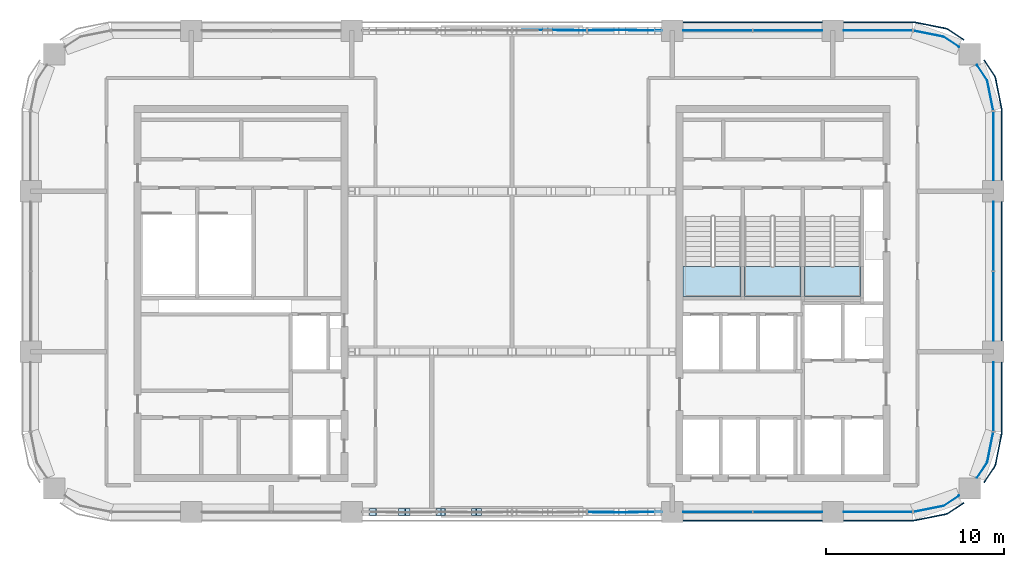
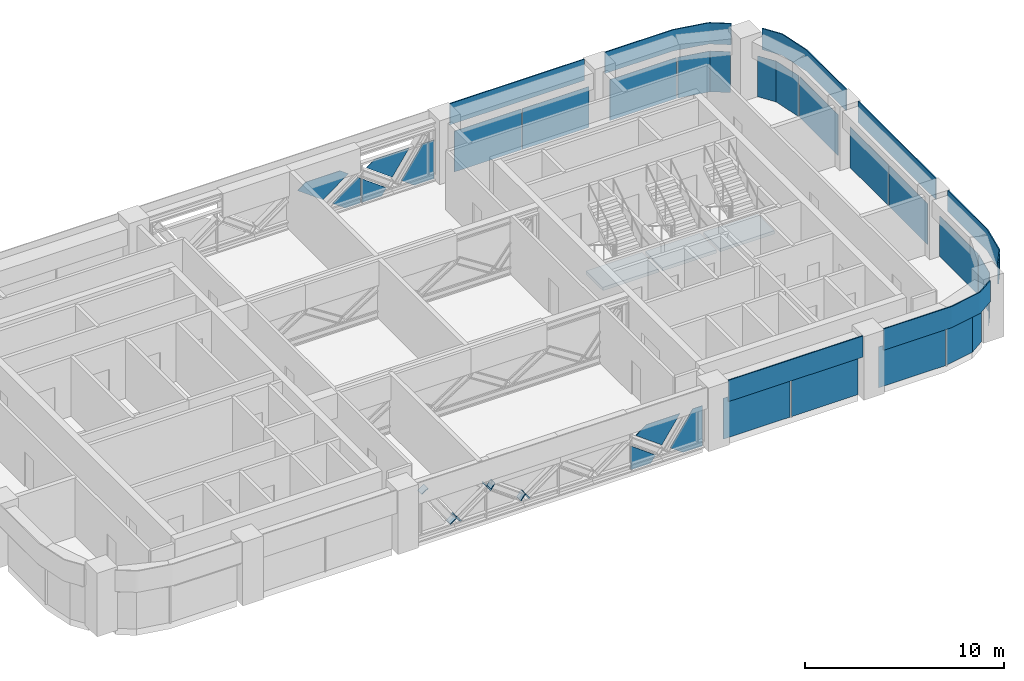
# One storey, part 7 of 12: 36 plates, 3 slabs, 12 elements without a shape of their own.
"""IFC4 building model written with IfcOpenShell, lengths in metres."""

from ifc_helpers import new_model, si_unit, direction, frame, origin, origin_2d, place, context, subcontext, project, spatial, polyline, rectangle, outline, extrude, material, layer, layer_set, type_object, element, aggregate, save


model = new_model("IFC4")

# Units and contexts
model_context = context("Model", 3, precision=1e-05, world=origin(), true_north=direction((0.0, 1.0)))
body_context = subcontext(model_context, "Body", "Model", "MODEL_VIEW")
ifc_project = project(units=[si_unit("LENGTHUNIT", "METRE"), si_unit("AREAUNIT", "SQUARE_METRE"), si_unit("VOLUMEUNIT", "CUBIC_METRE"), si_unit("PLANEANGLEUNIT", "RADIAN"), si_unit("MASSUNIT", "GRAM", prefix="KILO")], contexts=[model_context])

# Site, building, storey
site_placement = place(None, origin())
site = spatial("IfcSite", under=ifc_project, at=site_placement, CompositionType="ELEMENT")
building_placement = place(site_placement, origin())
building = spatial("IfcBuilding", under=site, at=building_placement, Name="Tessera Arch", CompositionType="ELEMENT")
storey_placement = place(building_placement, frame((0.0, 0.0, 230.60009765625)))
storey = spatial("IfcBuildingStorey", under=building, at=storey_placement, Name="L55", CompositionType="ELEMENT", Elevation=230.60009765625)

# Curtain wall, plates
ifc_material_1 = material(Name="CW1 curtain wall")
curtain_wall_type_1 = type_object("IfcCurtainWallType", Name="CW1 curtain wall", PredefinedType="NOTDEFINED", material=ifc_material_1)
curtain_wall_1_placement = place(storey_placement, origin())
curtain_wall_1 = element("IfcCurtainWall", 1, at=curtain_wall_1_placement, inside=storey, type_object=curtain_wall_type_1, Name="CW1 curtain wall E54.27/0 L55", PredefinedType="NOTDEFINED")
ifc_material_2 = material(Name="Clear low-e glass", Category="glass")
ifc_material_3 = material(Name="Clear low-e glass", Category="glass")
ifc_layer_1 = layer(ifc_material_3, 0.028076171875)
ifc_layer_set_1 = layer_set([ifc_layer_1], Name="CW1 glass panel")
plate_type_1 = type_object("IfcPlateType", Name="CW1 glass panel", PredefinedType="CURTAIN_PANEL", material=ifc_layer_set_1)
plate_1_placement = place(storey_placement, frame((54.0, 38.534912109375, 0.0), z_axis=(0.0, 0.0, 1.0), x_axis=(0.0, 1.0, 0.0)))
plate_1 = element("IfcPlate", 2, at=plate_1_placement, type_object=plate_type_1, material=ifc_material_2, Name="CW1 glass panel E54.27/0 1.1.1", PredefinedType="CURTAIN_PANEL", context=body_context, shape_type="SweptSolid", body=[
    extrude(rectangle(XDim=3.8701171875, YDim=0.028076171875, at=origin_2d()), origin(), (0.0, 0.0, 1.0), 2.5),
])
plate_2_placement = place(storey_placement, frame((54.0, 42.465087890625, 0.0), z_axis=(0.0, 0.0, 1.0), x_axis=(0.0, 1.0, 0.0)))
plate_2 = element("IfcPlate", 3, at=plate_2_placement, type_object=plate_type_1, material=ifc_material_2, Name="CW1 glass panel E54.27/0 1.2.1", PredefinedType="CURTAIN_PANEL", context=body_context, shape_type="SweptSolid", body=[
    extrude(rectangle(XDim=3.8701171875, YDim=0.028076171875, at=origin_2d()), origin(), (0.0, 0.0, 1.0), 2.5),
])

curtain_wall_2_placement = place(storey_placement, origin())
curtain_wall_2 = element("IfcCurtainWall", 4, at=curtain_wall_2_placement, inside=storey, type_object=curtain_wall_type_1, Name="CW1 curtain wall N54.0/1 L55", PredefinedType="NOTDEFINED")
plate_3_placement = place(storey_placement, frame((42.465087890625, 54.0, 0.0), z_axis=(0.0, 0.0, 1.0), x_axis=(-1.0, 0.0, 0.0)))
plate_3 = element("IfcPlate", 5, at=plate_3_placement, type_object=plate_type_1, material=ifc_material_2, Name="CW1 glass panel N54.0/1 1.1.1", PredefinedType="CURTAIN_PANEL", context=body_context, shape_type="SweptSolid", body=[
    extrude(rectangle(XDim=3.8701171875, YDim=0.028076171875, at=origin_2d()), origin(), (0.0, 0.0, 1.0), 2.5),
])
plate_4_placement = place(storey_placement, frame((38.534912109375, 54.0, 0.0), z_axis=(0.0, 0.0, 1.0), x_axis=(-1.0, 0.0, 0.0)))
plate_4 = element("IfcPlate", 6, at=plate_4_placement, type_object=plate_type_1, material=ifc_material_2, Name="CW1 glass panel N54.0/1 1.2.1", PredefinedType="CURTAIN_PANEL", context=body_context, shape_type="SweptSolid", body=[
    extrude(rectangle(XDim=3.8701171875, YDim=0.028076171875, at=origin_2d()), origin(), (0.0, 0.0, 1.0), 2.5),
])

curtain_wall_3_placement = place(storey_placement, origin())
curtain_wall_3 = element("IfcCurtainWall", 7, at=curtain_wall_3_placement, inside=storey, type_object=curtain_wall_type_1, Name="CW1 curtain wall S27.0/3 L55", PredefinedType="NOTDEFINED")
plate_5_placement = place(storey_placement, frame((38.534912109375, 27.0, 0.0), z_axis=(0.0, 0.0, 1.0), x_axis=(1.0, 0.0, 0.0)))
plate_5 = element("IfcPlate", 8, at=plate_5_placement, type_object=plate_type_1, material=ifc_material_2, Name="CW1 glass panel S27.0/3 1.1.1", PredefinedType="CURTAIN_PANEL", context=body_context, shape_type="SweptSolid", body=[
    extrude(rectangle(XDim=3.8701171875, YDim=0.028076171875, at=origin_2d()), origin(), (0.0, 0.0, 1.0), 2.5),
])
plate_6_placement = place(storey_placement, frame((42.465087890625, 27.0, 0.0), z_axis=(0.0, 0.0, 1.0), x_axis=(1.0, 0.0, 0.0)))
plate_6 = element("IfcPlate", 9, at=plate_6_placement, type_object=plate_type_1, material=ifc_material_2, Name="CW1 glass panel S27.0/3 1.2.1", PredefinedType="CURTAIN_PANEL", context=body_context, shape_type="SweptSolid", body=[
    extrude(rectangle(XDim=3.8701171875, YDim=0.028076171875, at=origin_2d()), origin(), (0.0, 0.0, 1.0), 2.5),
])

# Plate
ifc_material_4 = material(Name="Pale anodised aluminium panel", Category="aluminium")
ifc_layer_2 = layer(ifc_material_4, 0.06005859375)
ifc_layer_set_2 = layer_set([ifc_layer_2], Name="CW1 spandrel panel")
plate_type_2 = type_object("IfcPlateType", Name="CW1 spandrel panel", PredefinedType="CURTAIN_PANEL", material=ifc_layer_set_2)
plate_7_placement = place(storey_placement, frame((54.47998046875, 40.5, 2.60009765625), z_axis=(0.0, 0.0, 1.0), x_axis=(0.0, 1.0, 0.0)))
plate_7 = element("IfcPlate", 10, at=plate_7_placement, type_object=plate_type_2, Name="CW1 spandrel panel E54.27/0", PredefinedType="CURTAIN_PANEL", context=body_context, shape_type="SweptSolid", body=[
    extrude(rectangle(XDim=7.800048828125, YDim=0.06005859375, at=origin_2d()), origin(), (0.0, 0.0, 1.0), 1.300048828125),
])

aggregate(curtain_wall_1, [plate_1, plate_2, plate_7])

plate_8_placement = place(storey_placement, frame((40.5, 54.47998046875, 2.60009765625), z_axis=(0.0, 0.0, 1.0), x_axis=(-1.0, 0.0, 0.0)))
plate_8 = element("IfcPlate", 11, at=plate_8_placement, type_object=plate_type_2, Name="CW1 spandrel panel N54.0/1", PredefinedType="CURTAIN_PANEL", context=body_context, shape_type="SweptSolid", body=[
    extrude(rectangle(XDim=7.800048828125, YDim=0.06005859375, at=origin_2d()), origin(), (0.0, 0.0, 1.0), 1.300048828125),
])

aggregate(curtain_wall_2, [plate_3, plate_4, plate_8])

plate_9_placement = place(storey_placement, frame((40.5, 26.52001953125, 2.60009765625), z_axis=(0.0, 0.0, 1.0), x_axis=(1.0, 0.0, 0.0)))
plate_9 = element("IfcPlate", 12, at=plate_9_placement, type_object=plate_type_2, Name="CW1 spandrel panel S27.0/3", PredefinedType="CURTAIN_PANEL", context=body_context, shape_type="SweptSolid", body=[
    extrude(rectangle(XDim=7.800048828125, YDim=0.06005859375, at=origin_2d()), origin(), (0.0, 0.0, 1.0), 1.300048828125),
])

aggregate(curtain_wall_3, [plate_5, plate_6, plate_9])

# Curtain wall, plates
ifc_material_5 = material(Name="CW2 curtain wall")
curtain_wall_type_2 = type_object("IfcCurtainWallType", Name="CW2 curtain wall", PredefinedType="NOTDEFINED", material=ifc_material_5)
curtain_wall_4_placement = place(storey_placement, origin())
curtain_wall_4 = element("IfcCurtainWall", 13, at=curtain_wall_4_placement, inside=storey, type_object=curtain_wall_type_2, Name="CW2 curtain wall E54.27/1 L55", PredefinedType="NOTDEFINED")
ifc_material_6 = material(Name="Clear low-e glass", Category="glass")
ifc_layer_3 = layer(ifc_material_6, 0.028076171875)
ifc_layer_set_3 = layer_set([ifc_layer_3], Name="CW2 glass panel")
plate_type_3 = type_object("IfcPlateType", Name="CW2 glass panel", PredefinedType="CURTAIN_PANEL", material=ifc_layer_set_3)
plate_10_placement = place(storey_placement, frame((54.0, 47.530029296875, 0.0), z_axis=(0.0, 0.0, 1.0), x_axis=(0.0, 1.0, 0.0)))
plate_10 = element("IfcPlate", 14, at=plate_10_placement, type_object=plate_type_3, material=ifc_material_2, Name="CW2 glass panel E54.27/1 1.1", PredefinedType="CURTAIN_PANEL", context=body_context, shape_type="SweptSolid", body=[
    extrude(rectangle(XDim=3.860107421875, YDim=0.028076171875, at=origin_2d()), origin(), (0.0, 0.0, 1.0), 2.5),
])
plate_11_placement = place(storey_placement, origin())
plate_11 = element("IfcPlate", 15, at=plate_11_placement, type_object=plate_type_3, material=ifc_material_2, Name="CW2 curved glass panel E54.27/1 2.1", PredefinedType="CURTAIN_PANEL", context=body_context, shape_type="SweptSolid", body=[
    extrude(outline(polyline([(53.644287109375, 51.216552734375), (53.978515625, 49.53662109375), (54.005859375, 49.5419921875), (53.670654296875, 51.2275390625), (53.094482421875, 52.08984375), (53.0712890625, 52.07421875), (53.644287109375, 51.216552734375)])), origin(), (0.0, 0.0, 1.0), 2.5),
])

curtain_wall_5_placement = place(storey_placement, origin())
curtain_wall_5 = element("IfcCurtainWall", 16, at=curtain_wall_5_placement, inside=storey, type_object=curtain_wall_type_2, Name="CW2 curtain wall N54.0/0 L55", PredefinedType="NOTDEFINED")
plate_12_placement = place(storey_placement, frame((47.530029296875, 54.0, 0.0), z_axis=(0.0, 0.0, 1.0), x_axis=(-1.0, 0.0, 0.0)))
plate_12 = element("IfcPlate", 17, at=plate_12_placement, type_object=plate_type_3, material=ifc_material_2, Name="CW2 glass panel N54.0/0 1.1", PredefinedType="CURTAIN_PANEL", context=body_context, shape_type="SweptSolid", body=[
    extrude(rectangle(XDim=3.860107421875, YDim=0.028076171875, at=origin_2d()), origin(), (0.0, 0.0, 1.0), 2.5),
])
plate_13_placement = place(storey_placement, origin())
plate_13 = element("IfcPlate", 18, at=plate_13_placement, type_object=plate_type_3, material=ifc_material_2, Name="CW2 curved glass panel N54.0/0 2.1", PredefinedType="CURTAIN_PANEL", context=body_context, shape_type="SweptSolid", body=[
    extrude(outline(polyline([(51.216552734375, 53.644287109375), (52.07421875, 53.0712890625), (52.08984375, 53.094482421875), (51.2275390625, 53.670654296875), (49.5419921875, 54.005859375), (49.53662109375, 53.978515625), (51.216552734375, 53.644287109375)])), origin(), (0.0, 0.0, 1.0), 2.5),
])

curtain_wall_6_placement = place(storey_placement, origin())
curtain_wall_6 = element("IfcCurtainWall", 19, at=curtain_wall_6_placement, inside=storey, type_object=curtain_wall_type_2, Name="CW2 curtain wall S27.0/4 L55", PredefinedType="NOTDEFINED")
plate_14_placement = place(storey_placement, frame((47.530029296875, 27.0, 0.0), z_axis=(0.0, 0.0, 1.0), x_axis=(1.0, 0.0, 0.0)))
plate_14 = element("IfcPlate", 20, at=plate_14_placement, type_object=plate_type_3, material=ifc_material_2, Name="CW2 glass panel S27.0/4 1.1", PredefinedType="CURTAIN_PANEL", context=body_context, shape_type="SweptSolid", body=[
    extrude(rectangle(XDim=3.860107421875, YDim=0.028076171875, at=origin_2d()), origin(), (0.0, 0.0, 1.0), 2.5),
])
plate_15_placement = place(storey_placement, origin())
plate_15 = element("IfcPlate", 21, at=plate_15_placement, type_object=plate_type_3, material=ifc_material_2, Name="CW2 curved glass panel S27.0/4 2.1", PredefinedType="CURTAIN_PANEL", context=body_context, shape_type="SweptSolid", body=[
    extrude(outline(polyline([(51.216552734375, 27.355712890625), (49.53662109375, 27.021484375), (49.5419921875, 26.994140625), (51.2275390625, 27.329345703125), (52.08984375, 27.905517578125), (52.07421875, 27.9287109375), (51.216552734375, 27.355712890625)])), origin(), (0.0, 0.0, 1.0), 2.5),
])

curtain_wall_7_placement = place(storey_placement, origin())
curtain_wall_7 = element("IfcCurtainWall", 22, at=curtain_wall_7_placement, inside=storey, type_object=curtain_wall_type_2, Name="CW2 curtain wall E54.27/2 L55", PredefinedType="NOTDEFINED")
plate_16_placement = place(storey_placement, frame((54.0, 33.469970703125, 0.0), z_axis=(0.0, 0.0, 1.0), x_axis=(0.0, 1.0, 0.0)))
plate_16 = element("IfcPlate", 23, at=plate_16_placement, type_object=plate_type_3, material=ifc_material_2, Name="CW2 glass panel E54.27/2 1.1", PredefinedType="CURTAIN_PANEL", context=body_context, shape_type="SweptSolid", body=[
    extrude(rectangle(XDim=3.860107421875, YDim=0.028076171875, at=origin_2d()), origin(), (0.0, 0.0, 1.0), 2.5),
])
plate_17_placement = place(storey_placement, origin())
plate_17 = element("IfcPlate", 24, at=plate_17_placement, type_object=plate_type_3, material=ifc_material_2, Name="CW2 curved glass panel E54.27/2 2.1", PredefinedType="CURTAIN_PANEL", context=body_context, shape_type="SweptSolid", body=[
    extrude(outline(polyline([(53.644287109375, 29.783447265625), (53.0712890625, 28.92578125), (53.094482421875, 28.91015625), (53.670654296875, 29.7724609375), (54.005859375, 31.4580078125), (53.978515625, 31.46337890625), (53.644287109375, 29.783447265625)])), origin(), (0.0, 0.0, 1.0), 2.5),
])

# Plate
ifc_material_7 = material(Name="Pale anodised aluminium panel", Category="aluminium")
ifc_layer_4 = layer(ifc_material_7, 0.06005859375)
ifc_layer_set_4 = layer_set([ifc_layer_4], Name="CW2 spandrel panel")
plate_type_4 = type_object("IfcPlateType", Name="CW2 spandrel panel", PredefinedType="CURTAIN_PANEL", material=ifc_layer_set_4)
plate_18_placement = place(storey_placement, frame((0.0, 0.0, 2.599853515625)))
plate_18 = element("IfcPlate", 25, at=plate_18_placement, type_object=plate_type_4, Name="CW2 spandrel panel E54.27/1", PredefinedType="CURTAIN_PANEL", context=body_context, shape_type="SweptSolid", body=[
    extrude(outline(polyline([(54.449951171875, 49.499267578125), (54.449951171875, 45.60009765625), (54.510009765625, 45.60009765625), (54.510009765625, 49.500732421875), (54.507568359375, 49.550048828125), (54.500244140625, 49.598876953125), (54.157470703125, 51.322265625), (54.1455078125, 51.3701171875), (54.128662109375, 51.417236328125), (54.107421875, 51.462646484375), (54.08203125, 51.5048828125), (53.5068359375, 52.365234375), (53.45703125, 52.33203125), (54.03125, 51.47265625), (54.054443359375, 51.434326171875), (54.0732421875, 51.394287109375), (54.088134765625, 51.352783203125), (54.09912109375, 51.30908203125), (54.441162109375, 49.588623046875), (54.44775390625, 49.544189453125), (54.449951171875, 49.499267578125)])), origin(), (0.0, 0.0, 1.0), 1.300048828125),
])

aggregate(curtain_wall_4, [plate_10, plate_11, plate_18])

plate_19_placement = place(storey_placement, frame((0.0, 0.0, 2.599853515625)))
plate_19 = element("IfcPlate", 26, at=plate_19_placement, type_object=plate_type_4, Name="CW2 spandrel panel N54.0/0", PredefinedType="CURTAIN_PANEL", context=body_context, shape_type="SweptSolid", body=[
    extrude(outline(polyline([(51.47265625, 54.03125), (52.33203125, 53.45703125), (52.365234375, 53.5068359375), (51.5048828125, 54.08203125), (51.462646484375, 54.107421875), (51.417236328125, 54.128662109375), (51.3701171875, 54.1455078125), (51.322265625, 54.157470703125), (49.598876953125, 54.500244140625), (49.550048828125, 54.507568359375), (49.500732421875, 54.510009765625), (45.60009765625, 54.510009765625), (45.60009765625, 54.449951171875), (49.499267578125, 54.449951171875), (49.544189453125, 54.44775390625), (49.588623046875, 54.441162109375), (51.30908203125, 54.09912109375), (51.352783203125, 54.088134765625), (51.394287109375, 54.0732421875), (51.434326171875, 54.054443359375), (51.47265625, 54.03125)])), origin(), (0.0, 0.0, 1.0), 1.300048828125),
])

aggregate(curtain_wall_5, [plate_12, plate_13, plate_19])

plate_20_placement = place(storey_placement, frame((0.0, 0.0, 2.599853515625)))
plate_20 = element("IfcPlate", 27, at=plate_20_placement, type_object=plate_type_4, Name="CW2 spandrel panel S27.0/4", PredefinedType="CURTAIN_PANEL", context=body_context, shape_type="SweptSolid", body=[
    extrude(outline(polyline([(49.499267578125, 26.550048828125), (45.60009765625, 26.550048828125), (45.60009765625, 26.489990234375), (49.500732421875, 26.489990234375), (49.550048828125, 26.492431640625), (49.598876953125, 26.499755859375), (51.322265625, 26.842529296875), (51.3701171875, 26.8544921875), (51.417236328125, 26.871337890625), (51.462646484375, 26.892578125), (51.5048828125, 26.91796875), (52.365234375, 27.4931640625), (52.33203125, 27.54296875), (51.47265625, 26.96875), (51.434326171875, 26.945556640625), (51.394287109375, 26.9267578125), (51.352783203125, 26.911865234375), (51.30908203125, 26.90087890625), (49.588623046875, 26.558837890625), (49.544189453125, 26.55224609375), (49.499267578125, 26.550048828125)])), origin(), (0.0, 0.0, 1.0), 1.300048828125),
])

aggregate(curtain_wall_6, [plate_14, plate_15, plate_20])

plate_21_placement = place(storey_placement, frame((0.0, 0.0, 2.599853515625)))
plate_21 = element("IfcPlate", 28, at=plate_21_placement, type_object=plate_type_4, Name="CW2 spandrel panel E54.27/2", PredefinedType="CURTAIN_PANEL", context=body_context, shape_type="SweptSolid", body=[
    extrude(outline(polyline([(54.03125, 29.52734375), (53.45703125, 28.66796875), (53.5068359375, 28.634765625), (54.08203125, 29.4951171875), (54.107421875, 29.537353515625), (54.128662109375, 29.582763671875), (54.1455078125, 29.6298828125), (54.157470703125, 29.677734375), (54.500244140625, 31.401123046875), (54.507568359375, 31.449951171875), (54.510009765625, 31.499267578125), (54.510009765625, 35.39990234375), (54.449951171875, 35.39990234375), (54.449951171875, 31.500732421875), (54.44775390625, 31.455810546875), (54.441162109375, 31.411376953125), (54.09912109375, 29.69091796875), (54.088134765625, 29.647216796875), (54.0732421875, 29.605712890625), (54.054443359375, 29.565673828125), (54.03125, 29.52734375)])), origin(), (0.0, 0.0, 1.0), 1.300048828125),
])

aggregate(curtain_wall_7, [plate_16, plate_17, plate_21])

# Curtain wall, plates
ifc_material_8 = material(Name="CW4 curtain wall")
curtain_wall_type_3 = type_object("IfcCurtainWallType", Name="CW4 curtain wall", PredefinedType="NOTDEFINED", material=ifc_material_8)
curtain_wall_8_placement = place(storey_placement, origin())
curtain_wall_8 = element("IfcCurtainWall", 29, at=curtain_wall_8_placement, inside=storey, type_object=curtain_wall_type_3, Name="CW4 curtain wall N54.0/2 L55", PredefinedType="NOTDEFINED")
ifc_material_9 = material(Name="Clear low-e glass", Category="glass")
ifc_layer_5 = layer(ifc_material_9, 0.028076171875)
ifc_layer_set_5 = layer_set([ifc_layer_5], Name="CW4 glass panel")
plate_type_5 = type_object("IfcPlateType", Name="CW4 glass panel", PredefinedType="CURTAIN_PANEL", material=ifc_layer_set_5)
plate_22_placement = place(storey_placement, frame((35.39990234375, 54.013916015625, 0.0), z_axis=(0.0, 1.0, 0.0), x_axis=(-1.0, 0.0, 0.0)))
plate_22 = element("IfcPlate", 30, at=plate_22_placement, type_object=plate_type_5, material=ifc_material_2, Name="CW4 fitted glass panel N54.0/2 1", PredefinedType="CURTAIN_PANEL", context=body_context, shape_type="SweptSolid", body=[
    extrude(outline(polyline([(0.0, 0.0), (1.134765625, 0.0), (1.88916015625, 0.553466796875), (0.654296875, 2.369873046875), (0.0, 2.369873046875), (0.0, 0.0)])), origin(), (0.0, 0.0, -1.0), 0.028076171875),
])
plate_23_placement = place(storey_placement, frame((31.990966796875, 54.0419921875, 2.369873046875), z_axis=(0.0, 1.0, 0.0), x_axis=(1.0, 0.0, 0.0)))
plate_23 = element("IfcPlate", 31, at=plate_23_placement, type_object=plate_type_5, material=ifc_material_2, Name="CW4 fitted glass panel N54.0/2 2", PredefinedType="CURTAIN_PANEL", context=body_context, shape_type="SweptSolid", body=[
    extrude(outline(polyline([(0.0, 0.0), (2.00927734375, 0.0), (1.0224609375, 1.45166015625), (-0.478271484375, 0.350830078125), (0.0, 0.0)])), origin(), (0.0, 0.0, -1.0), 0.028076171875),
])
plate_24_placement = place(storey_placement, frame((31.239990234375, 54.013916015625, 0.0), z_axis=(0.0, 1.0, 0.0), x_axis=(0.0, 0.0, 1.0)))
plate_24 = element("IfcPlate", 32, at=plate_24_placement, type_object=plate_type_5, material=ifc_material_2, Name="CW4 fitted glass panel N54.0/2 3", PredefinedType="CURTAIN_PANEL", context=body_context, shape_type="SweptSolid", body=[
    extrude(outline(polyline([(0.0, 0.0), (1.45458984375, 0.0), (0.408203125, 1.4267578125), (0.0, 1.149169921875), (0.0, 0.0)])), origin(), (0.0, 0.0, -1.0), 0.028076171875),
])
plate_25_placement = place(storey_placement, frame((31.159912109375, 54.013916015625, 0.0), z_axis=(0.0, 1.0, 0.0), x_axis=(-1.0, 0.0, 0.0)))
plate_25 = element("IfcPlate", 33, at=plate_25_placement, type_object=plate_type_5, material=ifc_material_2, Name="CW4 fitted glass panel N54.0/2 4", PredefinedType="CURTAIN_PANEL", context=body_context, shape_type="SweptSolid", body=[
    extrude(outline(polyline([(0.0, 0.0), (0.88623046875, 0.0), (1.64306640625, 0.554931640625), (0.168212890625, 1.636962890625), (0.0, 1.513427734375), (0.0, 0.0)])), origin(), (0.0, 0.0, -1.0), 0.028076171875),
])
plate_26_placement = place(storey_placement, frame((27.999267578125, 54.0419921875, 2.369873046875), z_axis=(0.0, 1.0, 0.0), x_axis=(1.0, 0.0, 0.0)))
plate_26 = element("IfcPlate", 34, at=plate_26_placement, type_object=plate_type_5, material=ifc_material_2, Name="CW4 fitted glass panel N54.0/2 6", PredefinedType="CURTAIN_PANEL", context=body_context, shape_type="SweptSolid", body=[
    extrude(outline(polyline([(0.0, 0.0), (1.9931640625, 0.0), (2.471435546875, 0.350830078125), (0.99658203125, 1.4326171875), (-0.478271484375, 0.350830078125), (0.0, 0.0)])), origin(), (0.0, 0.0, -1.0), 0.028076171875),
])
aggregate(curtain_wall_8, [plate_22, plate_23, plate_24, plate_25, plate_26])

curtain_wall_9_placement = place(storey_placement, origin())
curtain_wall_9 = element("IfcCurtainWall", 35, at=curtain_wall_9_placement, inside=storey, type_object=curtain_wall_type_3, Name="CW4 curtain wall S27.0/2 L55", PredefinedType="NOTDEFINED")
plate_27_placement = place(storey_placement, frame((31.239990234375, 26.986083984375, 0.0), z_axis=(0.0, -1.0, 0.0), x_axis=(1.0, 0.0, 0.0)))
plate_27 = element("IfcPlate", 36, at=plate_27_placement, type_object=plate_type_5, material=ifc_material_2, Name="CW4 fitted glass panel S27.0/2 12", PredefinedType="CURTAIN_PANEL", context=body_context, shape_type="SweptSolid", body=[
    extrude(outline(polyline([(0.0, 0.0), (1.149169921875, 0.0), (1.4267578125, 0.408203125), (0.0, 1.45458984375), (0.0, 0.0)])), origin(), (0.0, 0.0, -1.0), 0.028076171875),
])
plate_28_placement = place(storey_placement, frame((34.0751953125, 26.9580078125, 2.47998046875), z_axis=(0.0, -1.0, 0.0), x_axis=(-1.0, 0.0, 0.0)))
plate_28 = element("IfcPlate", 37, at=plate_28_placement, type_object=plate_type_5, material=ifc_material_2, Name="CW4 fitted glass panel S27.0/2 13", PredefinedType="CURTAIN_PANEL", context=body_context, shape_type="SweptSolid", body=[
    extrude(outline(polyline([(0.0, 0.0), (1.934326171875, 0.0), (2.5625, 0.4609375), (1.061767578125, 1.561767578125), (0.0, 0.0)])), origin(), (0.0, 0.0, -1.0), 0.028076171875),
])
plate_29_placement = place(storey_placement, frame((35.39990234375, 26.986083984375, 2.47998046875), z_axis=(0.0, -1.0, 0.0), x_axis=(-1.0, 0.0, 0.0)))
plate_29 = element("IfcPlate", 38, at=plate_29_placement, type_object=plate_type_5, material=ifc_material_2, Name="CW4 fitted glass panel S27.0/2 14", PredefinedType="CURTAIN_PANEL", context=body_context, shape_type="SweptSolid", body=[
    extrude(outline(polyline([(0.0, 0.0), (0.57958984375, 0.0), (1.88916015625, 1.926513671875), (1.134765625, 2.47998046875), (0.0, 2.47998046875), (0.0, 0.0)])), origin(), (0.0, 0.0, -1.0), 0.028076171875),
])
aggregate(curtain_wall_9, [plate_27, plate_28, plate_29])

# Plates
ifc_material_10 = material(Name="Steel A572 Gr50", Category="steel")
ifc_layer_6 = layer(ifc_material_10, 0.050048828125)
ifc_layer_set_6 = layer_set([ifc_layer_6], Name="End plate W14x311")
plate_type_6 = type_object("IfcPlateType", Name="End plate W14x311", PredefinedType="SHEET", material=ifc_layer_set_6)
for number, where, z_axis, x_axis, name in (
    (39, (19.17822265625, 27.0, 3.030029296875), (0.562577605702, 0.0, -0.826744481423), (0.0, 1.0, 0.0), "End plate Bridge truss diagonal 1 end 1"),
    (40, (20.82275390625, 27.0, 0.611083984375), (0.562577605702, 0.0, -0.826744481423), (0.0, 1.0, 0.0), "End plate Bridge truss diagonal 1 end 2"),
):
    element("IfcPlate", number, at=place(storey_placement, frame(where, z_axis=z_axis, x_axis=x_axis)), inside=storey, type_object=plate_type_6, Name=name, PredefinedType="SHEET", context=body_context, shape_type="SweptSolid", body=[
        extrude(rectangle(XDim=0.411376953125, YDim=0.434326171875, at=origin_2d()), origin(), (0.0, 0.0, 1.0), 0.0498046875),
    ])
for number, where, z_axis, x_axis, name in (
    (41, (21.115234375, 27.0, 0.63037109375), (0.806404995856, 0.0, 0.591363663628), (0.0, 1.0, 0.0), "End plate Bridge truss diagonal 2 end 1"),
    (42, (22.865478515625, 27.0, 1.9140625), (0.806404995856, 0.0, 0.591363663628), (0.0, 1.0, 0.0), "End plate Bridge truss diagonal 2 end 2"),
    (43, (23.111083984375, 27.0, 1.943603515625), (0.806404995856, 0.0, -0.591363663628), (0.0, 1.0, 0.0), "End plate Bridge truss diagonal 3 end 1"),
    (44, (24.861083984375, 27.0, 0.659912109375), (0.808104081218, 0.0, -0.589039721852), (0.0, 1.0, 0.0), "End plate Bridge truss diagonal 3 end 2"),
    (45, (25.106689453125, 27.0, 0.63037109375), (0.808104081218, 0.0, 0.589039721852), (0.0, 1.0, 0.0), "End plate Bridge truss diagonal 4 end 1"),
):
    element("IfcPlate", number, at=place(storey_placement, frame(where, z_axis=z_axis, x_axis=x_axis)), inside=storey, type_object=plate_type_6, Name=name, PredefinedType="SHEET", context=body_context, shape_type="SweptSolid", body=[
        extrude(rectangle(XDim=0.411376953125, YDim=0.434326171875, at=origin_2d()), origin(), (0.0, 0.0, 1.0), 0.050048828125),
    ])

# Stair, slab
ifc_material_11 = material(Name="Concrete C40/50", Category="concrete")
stair_type = type_object("IfcStairType", Name="Dogleg stair 1520", PredefinedType="HALF_TURN_STAIR", material=ifc_material_11)
stair_1_placement = place(storey_placement, origin())
stair_1 = element("IfcStair", 46, at=stair_1_placement, inside=storey, type_object=stair_type, Name="L55 S1a", PredefinedType="HALF_TURN_STAIR")
ifc_material_12 = material(Name="Concrete C40/50", Category="concrete")
ifc_layer_7 = layer(ifc_material_12, 0.300048828125)
ifc_layer_set_7 = layer_set([ifc_layer_7], Name="Stair landing 300")
slab_type = type_object("IfcSlabType", Name="Stair landing 300", PredefinedType="LANDING", material=ifc_layer_set_7)
slab_1_placement = place(storey_placement, frame((0.0, 0.0, 1.75)))
slab_1 = element("IfcSlab", 47, at=slab_1_placement, type_object=slab_type, Name="S1a landing 1", PredefinedType="LANDING", context=body_context, shape_type="SweptSolid", body=[
    extrude(outline(polyline([(36.60009765625, 40.780029296875), (36.60009765625, 39.10009765625), (39.85009765625, 39.10009765625), (39.85009765625, 40.780029296875), (36.60009765625, 40.780029296875)])), origin(), (0.0, 0.0, 1.0), 0.199951171875),
])
aggregate(stair_1, [slab_1])

stair_2_placement = place(storey_placement, origin())
stair_2 = element("IfcStair", 48, at=stair_2_placement, inside=storey, type_object=stair_type, Name="L55 S1b", PredefinedType="HALF_TURN_STAIR")
slab_2_placement = place(storey_placement, frame((0.0, 0.0, 1.75)))
slab_2 = element("IfcSlab", 49, at=slab_2_placement, type_object=slab_type, Name="S1b landing 1", PredefinedType="LANDING", context=body_context, shape_type="SweptSolid", body=[
    extrude(outline(polyline([(40.050048828125, 40.780029296875), (40.050048828125, 39.10009765625), (43.199951171875, 39.10009765625), (43.199951171875, 40.780029296875), (40.050048828125, 40.780029296875)])), origin(), (0.0, 0.0, 1.0), 0.199951171875),
])
aggregate(stair_2, [slab_2])

stair_3_placement = place(storey_placement, origin())
stair_3 = element("IfcStair", 50, at=stair_3_placement, inside=storey, type_object=stair_type, Name="L55 S1c", PredefinedType="HALF_TURN_STAIR")
slab_3_placement = place(storey_placement, frame((0.0, 0.0, 1.75)))
slab_3 = element("IfcSlab", 51, at=slab_3_placement, type_object=slab_type, Name="S1c landing 1", PredefinedType="LANDING", context=body_context, shape_type="SweptSolid", body=[
    extrude(outline(polyline([(43.39990234375, 40.780029296875), (43.39990234375, 39.10009765625), (46.550048828125, 39.10009765625), (46.550048828125, 40.780029296875), (43.39990234375, 40.780029296875)])), origin(), (0.0, 0.0, 1.0), 0.199951171875),
])
aggregate(stair_3, [slab_3])

save(model, "model.ifc")
